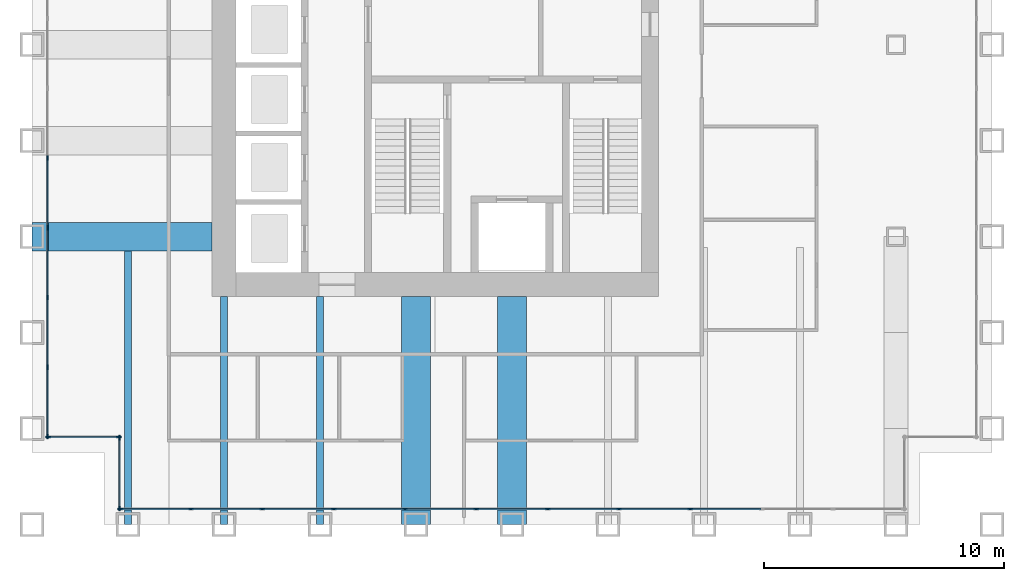
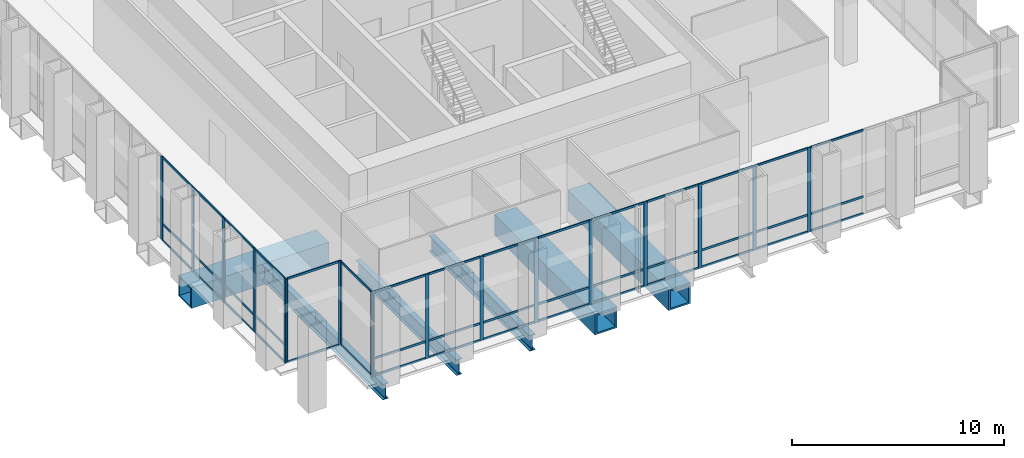
# One storey, part 2 of 13: 61 members, 6 beams, 4 elements without a shape of their own.
"""IFC4 building model written with IfcOpenShell, lengths in metres."""

from ifc_helpers import new_model, si_unit, direction, frame, origin, origin_2d, place, context, subcontext, project, spatial, rectangle, hollow_rectangle, i_section, extrude, material, material_profile, profile_set, type_object, element, aggregate, save


model = new_model("IFC4")

# Units and contexts
model_context = context("Model", 3, precision=1e-05, world=origin(), true_north=direction((0.0, 1.0)))
body_context = subcontext(model_context, "Body", "Model", "MODEL_VIEW")
ifc_project = project(units=[si_unit("LENGTHUNIT", "METRE"), si_unit("AREAUNIT", "SQUARE_METRE"), si_unit("VOLUMEUNIT", "CUBIC_METRE"), si_unit("PLANEANGLEUNIT", "RADIAN"), si_unit("MASSUNIT", "GRAM", prefix="KILO")], contexts=[model_context])

# Site, building, storey
site_placement = place(None, origin())
site = spatial("IfcSite", under=ifc_project, at=site_placement, CompositionType="ELEMENT")
building_placement = place(site_placement, origin())
building = spatial("IfcBuilding", under=site, at=building_placement, Name="Rimbunsela Tower", CompositionType="ELEMENT")
storey_placement = place(building_placement, frame((0.0, 0.0, 209.199951171875)))
storey = spatial("IfcBuildingStorey", under=building, at=storey_placement, Name="L50", CompositionType="ELEMENT", Elevation=209.199951171875)

# Beams
ifc_material_1 = material(Name="Steel BJ 55 (fy 410 MPa)", Category="steel")
ifc_material_profile_1 = material_profile(ifc_material_1, hollow_rectangle(XDim=1.199951171875, YDim=1.199951171875, WallThickness=0.10009765625, at=origin_2d()), Name="BOX 1200x1200x100")
ifc_profile_set_1 = profile_set([ifc_material_profile_1], Name="Steel BJ 55 (fy 410 MPa)")
beam_type_1 = type_object("IfcBeamType", Name="Beam BOX 1200x1200x100", PredefinedType="BEAM", material=ifc_profile_set_1)
beam_1_placement = place(storey_placement, frame((10.0, 20.0, -0.75), z_axis=(1.0, 0.0, 0.0), x_axis=(0.0, 1.0, 0.0)))
element("IfcBeam", 1, at=beam_1_placement, inside=storey, type_object=beam_type_1, Name="Beam B5 L50", PredefinedType="BEAM", context=body_context, shape_type="SweptSolid", body=[
    extrude(hollow_rectangle(XDim=1.199951171875, YDim=1.199951171875, WallThickness=0.10009765625, at=origin_2d()), origin(), (0.0, 0.0, 1.0), 7.5),
])
for number, where, z_axis, x_axis, name in (
    (2, (26.0, 8.0, -0.75), (0.0, 1.0, 0.0), (-1.0, 0.0, 0.0), "Beam B5 L50"),
    (3, (30.0, 8.0, -0.75), (0.0, 1.0, 0.0), (-1.0, 0.0, 0.0), "Beam B5 L50"),
):
    element("IfcBeam", number, at=place(storey_placement, frame(where, z_axis=z_axis, x_axis=x_axis)), inside=storey, type_object=beam_type_1, Name=name, PredefinedType="BEAM", context=body_context, shape_type="SweptSolid", body=[
        extrude(hollow_rectangle(XDim=1.199951171875, YDim=1.199951171875, WallThickness=0.10009765625, at=origin_2d()), origin(), (0.0, 0.0, 1.0), 9.5),
    ])
ifc_material_2 = material(Name="Steel BJ 55 (fy 410 MPa)", Category="steel")
ifc_material_profile_2 = material_profile(ifc_material_2, i_section(OverallWidth=0.300048828125, OverallDepth=0.89990234375, WebThickness=0.01611328125, FlangeThickness=0.028076171875, FilletRadius=0.028076171875, at=origin_2d()), Name="H 900x300x16x28")
ifc_profile_set_2 = profile_set([ifc_material_profile_2], Name="Steel BJ 55 (fy 410 MPa)")
beam_type_2 = type_object("IfcBeamType", Name="Beam H 900x300x16x28", PredefinedType="BEAM", material=ifc_profile_set_2)
beam_2_placement = place(storey_placement, frame((14.0, 8.0, -0.599853515625), z_axis=(0.0, 1.0, 0.0), x_axis=(-1.0, 0.0, 0.0)))
element("IfcBeam", 4, at=beam_2_placement, inside=storey, type_object=beam_type_2, Name="Beam B2 L50", PredefinedType="BEAM", context=body_context, shape_type="SweptSolid", body=[
    extrude(i_section(OverallWidth=0.300048828125, OverallDepth=0.89990234375, WebThickness=0.01611328125, FlangeThickness=0.028076171875, FilletRadius=0.028076171875, at=origin_2d()), origin(), (0.0, 0.0, 1.0), 11.39990234375),
])
for number, where, z_axis, x_axis, name in (
    (5, (18.0, 8.0, -0.599853515625), (0.0, 1.0, 0.0), (-1.0, 0.0, 0.0), "Beam B2 L50"),
    (6, (22.0, 8.0, -0.599853515625), (0.0, 1.0, 0.0), (-1.0, 0.0, 0.0), "Beam B2 L50"),
):
    element("IfcBeam", number, at=place(storey_placement, frame(where, z_axis=z_axis, x_axis=x_axis)), inside=storey, type_object=beam_type_2, Name=name, PredefinedType="BEAM", context=body_context, shape_type="SweptSolid", body=[
        extrude(i_section(OverallWidth=0.300048828125, OverallDepth=0.89990234375, WebThickness=0.01611328125, FlangeThickness=0.028076171875, FilletRadius=0.028076171875, at=origin_2d()), origin(), (0.0, 0.0, 1.0), 9.5),
    ])

# Curtain wall, members
ifc_material_3 = material(Name="Aluminium curtain wall", Category="aluminium")
curtain_wall_type_1 = type_object("IfcCurtainWallType", Name="Sky lobby glazing", PredefinedType="USERDEFINED", material=ifc_material_3)
curtain_wall_1_placement = place(storey_placement, origin())
curtain_wall_1 = element("IfcCurtainWall", 7, at=curtain_wall_1_placement, inside=storey, type_object=curtain_wall_type_1, Name="Sky lobby glazing L50", ObjectType="SKY LOBBY GLAZING", PredefinedType="USERDEFINED")
ifc_material_4 = material(Name="Aluminium mullion", Category="aluminium")
ifc_material_profile_3 = material_profile(ifc_material_4, rectangle(XDim=0.06005859375, YDim=0.199951171875, at=origin_2d()), Name="Mullion 60x200")
ifc_profile_set_3 = profile_set([ifc_material_profile_3], Name="Aluminium mullion")
member_type_1 = type_object("IfcMemberType", Name="Curtain wall mullion 60x200", PredefinedType="MULLION", material=ifc_profile_set_3)
member_1_placement = place(storey_placement, frame((10.64990234375, 23.278564453125, 0.0), z_axis=(0.0, 0.0, 1.0), x_axis=(1.0, 0.0, 0.0)))
member_1 = element("IfcMember", 8, at=member_1_placement, type_object=member_type_1, Name="CW4 mullion 11", PredefinedType="MULLION", context=body_context, shape_type="SweptSolid", body=[
    extrude(rectangle(XDim=0.06005859375, YDim=0.199951171875, at=origin_2d()), origin(), (0.0, 0.0, 1.0), 4.85009765625),
])
member_2_placement = place(storey_placement, frame((10.64990234375, 20.371337890625, 0.0), z_axis=(0.0, 0.0, 1.0), x_axis=(1.0, 0.0, 0.0)))
member_2 = element("IfcMember", 9, at=member_2_placement, type_object=member_type_1, Name="CW4 mullion 12", PredefinedType="MULLION", context=body_context, shape_type="SweptSolid", body=[
    extrude(rectangle(XDim=0.06005859375, YDim=0.199951171875, at=origin_2d()), origin(), (0.0, 0.0, 1.0), 4.85009765625),
])
member_3_placement = place(storey_placement, frame((10.64990234375, 17.46435546875, 0.0), z_axis=(0.0, 0.0, 1.0), x_axis=(1.0, 0.0, 0.0)))
member_3 = element("IfcMember", 10, at=member_3_placement, type_object=member_type_1, Name="CW4 mullion 13", PredefinedType="MULLION", context=body_context, shape_type="SweptSolid", body=[
    extrude(rectangle(XDim=0.06005859375, YDim=0.199951171875, at=origin_2d()), origin(), (0.0, 0.0, 1.0), 4.85009765625),
])
member_4_placement = place(storey_placement, frame((10.64990234375, 14.55712890625, 0.0), z_axis=(0.0, 0.0, 1.0), x_axis=(1.0, 0.0, 0.0)))
member_4 = element("IfcMember", 11, at=member_4_placement, type_object=member_type_1, Name="CW4 mullion 14", PredefinedType="MULLION", context=body_context, shape_type="SweptSolid", body=[
    extrude(rectangle(XDim=0.06005859375, YDim=0.199951171875, at=origin_2d()), origin(), (0.0, 0.0, 1.0), 4.85009765625),
])
member_5_placement = place(storey_placement, frame((10.64990234375, 11.679931640625, 0.0), z_axis=(0.0, 0.0, 1.0), x_axis=(1.0, 0.0, 0.0)))
member_5 = element("IfcMember", 12, at=member_5_placement, type_object=member_type_1, Name="CW4 mullion 15", PredefinedType="MULLION", context=body_context, shape_type="SweptSolid", body=[
    extrude(rectangle(XDim=0.06005859375, YDim=0.199951171875, at=origin_2d()), origin(), (0.0, 0.0, 1.0), 4.85009765625),
])

ifc_material_5 = material(Name="Aluminium curtain wall", Category="aluminium")
curtain_wall_type_2 = type_object("IfcCurtainWallType", Name="Corner glazing", PredefinedType="USERDEFINED", material=ifc_material_5)
curtain_wall_2_placement = place(storey_placement, origin())
curtain_wall_2 = element("IfcCurtainWall", 13, at=curtain_wall_2_placement, inside=storey, type_object=curtain_wall_type_2, Name="Corner glazing L50", ObjectType="CORNER GLAZING", PredefinedType="USERDEFINED")
member_6_placement = place(storey_placement, frame((10.679931640625, 11.64990234375, 0.0), z_axis=(0.0, 0.0, 1.0), x_axis=(0.0, 1.0, 0.0)))
member_6 = element("IfcMember", 14, at=member_6_placement, type_object=member_type_1, Name="CW5 mullion 1", PredefinedType="MULLION", context=body_context, shape_type="SweptSolid", body=[
    extrude(rectangle(XDim=0.06005859375, YDim=0.199951171875, at=origin_2d()), origin(), (0.0, 0.0, 1.0), 4.85009765625),
])
member_7_placement = place(storey_placement, frame((13.6201171875, 11.64990234375, 0.0), z_axis=(0.0, 0.0, 1.0), x_axis=(0.0, 1.0, 0.0)))
member_7 = element("IfcMember", 15, at=member_7_placement, type_object=member_type_1, Name="CW5 mullion 2", PredefinedType="MULLION", context=body_context, shape_type="SweptSolid", body=[
    extrude(rectangle(XDim=0.06005859375, YDim=0.199951171875, at=origin_2d()), origin(), (0.0, 0.0, 1.0), 4.85009765625),
])

curtain_wall_3_placement = place(storey_placement, origin())
curtain_wall_3 = element("IfcCurtainWall", 16, at=curtain_wall_3_placement, inside=storey, type_object=curtain_wall_type_2, Name="Corner glazing L50", ObjectType="CORNER GLAZING", PredefinedType="USERDEFINED")
member_8_placement = place(storey_placement, frame((13.64990234375, 11.6201171875, 0.0), z_axis=(0.0, 0.0, 1.0), x_axis=(1.0, 0.0, 0.0)))
member_8 = element("IfcMember", 17, at=member_8_placement, type_object=member_type_1, Name="CW5 mullion 1", PredefinedType="MULLION", context=body_context, shape_type="SweptSolid", body=[
    extrude(rectangle(XDim=0.06005859375, YDim=0.199951171875, at=origin_2d()), origin(), (0.0, 0.0, 1.0), 4.85009765625),
])
member_9_placement = place(storey_placement, frame((13.64990234375, 8.679931640625, 0.0), z_axis=(0.0, 0.0, 1.0), x_axis=(1.0, 0.0, 0.0)))
member_9 = element("IfcMember", 18, at=member_9_placement, type_object=member_type_1, Name="CW5 mullion 2", PredefinedType="MULLION", context=body_context, shape_type="SweptSolid", body=[
    extrude(rectangle(XDim=0.06005859375, YDim=0.199951171875, at=origin_2d()), origin(), (0.0, 0.0, 1.0), 4.85009765625),
])

curtain_wall_4_placement = place(storey_placement, origin())
curtain_wall_4 = element("IfcCurtainWall", 19, at=curtain_wall_4_placement, inside=storey, type_object=curtain_wall_type_1, Name="Sky lobby glazing L50", ObjectType="SKY LOBBY GLAZING", PredefinedType="USERDEFINED")
member_10_placement = place(storey_placement, frame((13.679931640625, 8.64990234375, 0.0), z_axis=(0.0, 0.0, 1.0), x_axis=(0.0, 1.0, 0.0)))
member_10 = element("IfcMember", 20, at=member_10_placement, type_object=member_type_1, Name="CW4 mullion 1", PredefinedType="MULLION", context=body_context, shape_type="SweptSolid", body=[
    extrude(rectangle(XDim=0.06005859375, YDim=0.199951171875, at=origin_2d()), origin(), (0.0, 0.0, 1.0), 4.85009765625),
])
member_11_placement = place(storey_placement, frame((16.622802734375, 8.64990234375, 0.0), z_axis=(0.0, 0.0, 1.0), x_axis=(0.0, 1.0, 0.0)))
member_11 = element("IfcMember", 21, at=member_11_placement, type_object=member_type_1, Name="CW4 mullion 2", PredefinedType="MULLION", context=body_context, shape_type="SweptSolid", body=[
    extrude(rectangle(XDim=0.06005859375, YDim=0.199951171875, at=origin_2d()), origin(), (0.0, 0.0, 1.0), 4.85009765625),
])
member_12_placement = place(storey_placement, frame((19.595458984375, 8.64990234375, 0.0), z_axis=(0.0, 0.0, 1.0), x_axis=(0.0, 1.0, 0.0)))
member_12 = element("IfcMember", 22, at=member_12_placement, type_object=member_type_1, Name="CW4 mullion 3", PredefinedType="MULLION", context=body_context, shape_type="SweptSolid", body=[
    extrude(rectangle(XDim=0.06005859375, YDim=0.199951171875, at=origin_2d()), origin(), (0.0, 0.0, 1.0), 4.85009765625),
])
member_13_placement = place(storey_placement, frame((22.568115234375, 8.64990234375, 0.0), z_axis=(0.0, 0.0, 1.0), x_axis=(0.0, 1.0, 0.0)))
member_13 = element("IfcMember", 23, at=member_13_placement, type_object=member_type_1, Name="CW4 mullion 4", PredefinedType="MULLION", context=body_context, shape_type="SweptSolid", body=[
    extrude(rectangle(XDim=0.06005859375, YDim=0.199951171875, at=origin_2d()), origin(), (0.0, 0.0, 1.0), 4.85009765625),
])
member_14_placement = place(storey_placement, frame((25.541015625, 8.64990234375, 0.0), z_axis=(0.0, 0.0, 1.0), x_axis=(0.0, 1.0, 0.0)))
member_14 = element("IfcMember", 24, at=member_14_placement, type_object=member_type_1, Name="CW4 mullion 5", PredefinedType="MULLION", context=body_context, shape_type="SweptSolid", body=[
    extrude(rectangle(XDim=0.06005859375, YDim=0.199951171875, at=origin_2d()), origin(), (0.0, 0.0, 1.0), 4.85009765625),
])
member_15_placement = place(storey_placement, frame((28.513671875, 8.64990234375, 0.0), z_axis=(0.0, 0.0, 1.0), x_axis=(0.0, 1.0, 0.0)))
member_15 = element("IfcMember", 25, at=member_15_placement, type_object=member_type_1, Name="CW4 mullion 6", PredefinedType="MULLION", context=body_context, shape_type="SweptSolid", body=[
    extrude(rectangle(XDim=0.06005859375, YDim=0.199951171875, at=origin_2d()), origin(), (0.0, 0.0, 1.0), 4.85009765625),
])
member_16_placement = place(storey_placement, frame((31.486328125, 8.64990234375, 0.0), z_axis=(0.0, 0.0, 1.0), x_axis=(0.0, 1.0, 0.0)))
member_16 = element("IfcMember", 26, at=member_16_placement, type_object=member_type_1, Name="CW4 mullion 7", PredefinedType="MULLION", context=body_context, shape_type="SweptSolid", body=[
    extrude(rectangle(XDim=0.06005859375, YDim=0.199951171875, at=origin_2d()), origin(), (0.0, 0.0, 1.0), 4.85009765625),
])
member_17_placement = place(storey_placement, frame((34.458984375, 8.64990234375, 0.0), z_axis=(0.0, 0.0, 1.0), x_axis=(0.0, 1.0, 0.0)))
member_17 = element("IfcMember", 27, at=member_17_placement, type_object=member_type_1, Name="CW4 mullion 8", PredefinedType="MULLION", context=body_context, shape_type="SweptSolid", body=[
    extrude(rectangle(XDim=0.06005859375, YDim=0.199951171875, at=origin_2d()), origin(), (0.0, 0.0, 1.0), 4.85009765625),
])
member_18_placement = place(storey_placement, frame((37.431884765625, 8.64990234375, 0.0), z_axis=(0.0, 0.0, 1.0), x_axis=(0.0, 1.0, 0.0)))
member_18 = element("IfcMember", 28, at=member_18_placement, type_object=member_type_1, Name="CW4 mullion 9", PredefinedType="MULLION", context=body_context, shape_type="SweptSolid", body=[
    extrude(rectangle(XDim=0.06005859375, YDim=0.199951171875, at=origin_2d()), origin(), (0.0, 0.0, 1.0), 4.85009765625),
])

# Member
ifc_material_6 = material(Name="Aluminium transom", Category="aluminium")
ifc_material_profile_4 = material_profile(ifc_material_6, rectangle(XDim=0.06005859375, YDim=0.1201171875, at=origin_2d()), Name="Transom 60x120")
ifc_profile_set_4 = profile_set([ifc_material_profile_4], Name="Aluminium transom")
member_type_2 = type_object("IfcMemberType", Name="Curtain wall transom 60x120", PredefinedType="USERDEFINED", material=ifc_profile_set_4)
member_19_placement = place(storey_placement, frame((10.64990234375, 23.24853515625, 0.030029296875), z_axis=(0.0, -1.0, 0.0), x_axis=(1.0, 0.0, 0.0)))
member_19 = element("IfcMember", 29, at=member_19_placement, type_object=member_type_2, Name="CW4 transom 11.1", ObjectType="TRANSOM", PredefinedType="USERDEFINED", context=body_context, shape_type="SweptSolid", body=[
    extrude(rectangle(XDim=0.06005859375, YDim=0.1201171875, at=origin_2d()), origin(), (0.0, 0.0, 1.0), 2.84716796875),
])

member_20_placement = place(storey_placement, frame((10.64990234375, 23.24853515625, 1.0), z_axis=(0.0, -1.0, 0.0), x_axis=(1.0, 0.0, 0.0)))
member_20 = element("IfcMember", 30, at=member_20_placement, type_object=member_type_2, Name="CW4 transom 11.2", ObjectType="TRANSOM", PredefinedType="USERDEFINED", context=body_context, shape_type="SweptSolid", body=[
    extrude(rectangle(XDim=0.06005859375, YDim=0.1201171875, at=origin_2d()), origin(), (0.0, 0.0, 1.0), 2.84716796875),
])

member_21_placement = place(storey_placement, frame((10.64990234375, 23.24853515625, 4.820068359375), z_axis=(0.0, -1.0, 0.0), x_axis=(1.0, 0.0, 0.0)))
member_21 = element("IfcMember", 31, at=member_21_placement, type_object=member_type_2, Name="CW4 transom 11.3", ObjectType="TRANSOM", PredefinedType="USERDEFINED", context=body_context, shape_type="SweptSolid", body=[
    extrude(rectangle(XDim=0.06005859375, YDim=0.1201171875, at=origin_2d()), origin(), (0.0, 0.0, 1.0), 2.84716796875),
])

member_22_placement = place(storey_placement, frame((10.64990234375, 20.34130859375, 0.030029296875), z_axis=(0.0, -1.0, 0.0), x_axis=(1.0, 0.0, 0.0)))
member_22 = element("IfcMember", 32, at=member_22_placement, type_object=member_type_2, Name="CW4 transom 12.1", ObjectType="TRANSOM", PredefinedType="USERDEFINED", context=body_context, shape_type="SweptSolid", body=[
    extrude(rectangle(XDim=0.06005859375, YDim=0.1201171875, at=origin_2d()), origin(), (0.0, 0.0, 1.0), 2.846923828125),
])

member_23_placement = place(storey_placement, frame((10.64990234375, 20.34130859375, 1.0), z_axis=(0.0, -1.0, 0.0), x_axis=(1.0, 0.0, 0.0)))
member_23 = element("IfcMember", 33, at=member_23_placement, type_object=member_type_2, Name="CW4 transom 12.2", ObjectType="TRANSOM", PredefinedType="USERDEFINED", context=body_context, shape_type="SweptSolid", body=[
    extrude(rectangle(XDim=0.06005859375, YDim=0.1201171875, at=origin_2d()), origin(), (0.0, 0.0, 1.0), 2.846923828125),
])

member_24_placement = place(storey_placement, frame((10.64990234375, 20.34130859375, 4.820068359375), z_axis=(0.0, -1.0, 0.0), x_axis=(1.0, 0.0, 0.0)))
member_24 = element("IfcMember", 34, at=member_24_placement, type_object=member_type_2, Name="CW4 transom 12.3", ObjectType="TRANSOM", PredefinedType="USERDEFINED", context=body_context, shape_type="SweptSolid", body=[
    extrude(rectangle(XDim=0.06005859375, YDim=0.1201171875, at=origin_2d()), origin(), (0.0, 0.0, 1.0), 2.846923828125),
])

member_25_placement = place(storey_placement, frame((10.64990234375, 17.434326171875, 0.030029296875), z_axis=(0.0, -1.0, 0.0), x_axis=(1.0, 0.0, 0.0)))
member_25 = element("IfcMember", 35, at=member_25_placement, type_object=member_type_2, Name="CW4 transom 13.1", ObjectType="TRANSOM", PredefinedType="USERDEFINED", context=body_context, shape_type="SweptSolid", body=[
    extrude(rectangle(XDim=0.06005859375, YDim=0.1201171875, at=origin_2d()), origin(), (0.0, 0.0, 1.0), 2.84716796875),
])

member_26_placement = place(storey_placement, frame((10.64990234375, 17.434326171875, 1.0), z_axis=(0.0, -1.0, 0.0), x_axis=(1.0, 0.0, 0.0)))
member_26 = element("IfcMember", 36, at=member_26_placement, type_object=member_type_2, Name="CW4 transom 13.2", ObjectType="TRANSOM", PredefinedType="USERDEFINED", context=body_context, shape_type="SweptSolid", body=[
    extrude(rectangle(XDim=0.06005859375, YDim=0.1201171875, at=origin_2d()), origin(), (0.0, 0.0, 1.0), 2.84716796875),
])

member_27_placement = place(storey_placement, frame((10.64990234375, 17.434326171875, 4.820068359375), z_axis=(0.0, -1.0, 0.0), x_axis=(1.0, 0.0, 0.0)))
member_27 = element("IfcMember", 37, at=member_27_placement, type_object=member_type_2, Name="CW4 transom 13.3", ObjectType="TRANSOM", PredefinedType="USERDEFINED", context=body_context, shape_type="SweptSolid", body=[
    extrude(rectangle(XDim=0.06005859375, YDim=0.1201171875, at=origin_2d()), origin(), (0.0, 0.0, 1.0), 2.84716796875),
])

member_28_placement = place(storey_placement, frame((10.64990234375, 14.527099609375, 0.030029296875), z_axis=(0.0, -1.0, 0.0), x_axis=(1.0, 0.0, 0.0)))
member_28 = element("IfcMember", 38, at=member_28_placement, type_object=member_type_2, Name="CW4 transom 14.1", ObjectType="TRANSOM", PredefinedType="USERDEFINED", context=body_context, shape_type="SweptSolid", body=[
    extrude(rectangle(XDim=0.06005859375, YDim=0.1201171875, at=origin_2d()), origin(), (0.0, 0.0, 1.0), 2.817138671875),
])

member_29_placement = place(storey_placement, frame((10.64990234375, 14.527099609375, 1.0), z_axis=(0.0, -1.0, 0.0), x_axis=(1.0, 0.0, 0.0)))
member_29 = element("IfcMember", 39, at=member_29_placement, type_object=member_type_2, Name="CW4 transom 14.2", ObjectType="TRANSOM", PredefinedType="USERDEFINED", context=body_context, shape_type="SweptSolid", body=[
    extrude(rectangle(XDim=0.06005859375, YDim=0.1201171875, at=origin_2d()), origin(), (0.0, 0.0, 1.0), 2.817138671875),
])

member_30_placement = place(storey_placement, frame((10.64990234375, 14.527099609375, 4.820068359375), z_axis=(0.0, -1.0, 0.0), x_axis=(1.0, 0.0, 0.0)))
member_30 = element("IfcMember", 40, at=member_30_placement, type_object=member_type_2, Name="CW4 transom 14.3", ObjectType="TRANSOM", PredefinedType="USERDEFINED", context=body_context, shape_type="SweptSolid", body=[
    extrude(rectangle(XDim=0.06005859375, YDim=0.1201171875, at=origin_2d()), origin(), (0.0, 0.0, 1.0), 2.817138671875),
])

aggregate(curtain_wall_1, [member_1, member_2, member_3, member_4, member_5, member_19, member_20, member_21, member_22, member_23, member_24, member_25, member_26, member_27, member_28, member_29, member_30])

member_31_placement = place(storey_placement, frame((10.7099609375, 11.64990234375, 0.030029296875), z_axis=(1.0, 0.0, 0.0), x_axis=(0.0, 1.0, 0.0)))
member_31 = element("IfcMember", 41, at=member_31_placement, type_object=member_type_2, Name="CW5 transom 1.1", ObjectType="TRANSOM", PredefinedType="USERDEFINED", context=body_context, shape_type="SweptSolid", body=[
    extrude(rectangle(XDim=0.06005859375, YDim=0.1201171875, at=origin_2d()), origin(), (0.0, 0.0, 1.0), 2.880126953125),
])

member_32_placement = place(storey_placement, frame((10.7099609375, 11.64990234375, 4.820068359375), z_axis=(1.0, 0.0, 0.0), x_axis=(0.0, 1.0, 0.0)))
member_32 = element("IfcMember", 42, at=member_32_placement, type_object=member_type_2, Name="CW5 transom 1.2", ObjectType="TRANSOM", PredefinedType="USERDEFINED", context=body_context, shape_type="SweptSolid", body=[
    extrude(rectangle(XDim=0.06005859375, YDim=0.1201171875, at=origin_2d()), origin(), (0.0, 0.0, 1.0), 2.880126953125),
])

aggregate(curtain_wall_2, [member_6, member_7, member_31, member_32])

member_33_placement = place(storey_placement, frame((13.64990234375, 11.590087890625, 0.030029296875), z_axis=(0.0, -1.0, 0.0), x_axis=(1.0, 0.0, 0.0)))
member_33 = element("IfcMember", 43, at=member_33_placement, type_object=member_type_2, Name="CW5 transom 1.1", ObjectType="TRANSOM", PredefinedType="USERDEFINED", context=body_context, shape_type="SweptSolid", body=[
    extrude(rectangle(XDim=0.06005859375, YDim=0.1201171875, at=origin_2d()), origin(), (0.0, 0.0, 1.0), 2.880126953125),
])

member_34_placement = place(storey_placement, frame((13.64990234375, 11.590087890625, 4.820068359375), z_axis=(0.0, -1.0, 0.0), x_axis=(1.0, 0.0, 0.0)))
member_34 = element("IfcMember", 44, at=member_34_placement, type_object=member_type_2, Name="CW5 transom 1.2", ObjectType="TRANSOM", PredefinedType="USERDEFINED", context=body_context, shape_type="SweptSolid", body=[
    extrude(rectangle(XDim=0.06005859375, YDim=0.1201171875, at=origin_2d()), origin(), (0.0, 0.0, 1.0), 2.880126953125),
])

aggregate(curtain_wall_3, [member_8, member_9, member_33, member_34])

member_35_placement = place(storey_placement, frame((13.7099609375, 8.64990234375, 0.030029296875), z_axis=(1.0, 0.0, 0.0), x_axis=(0.0, 1.0, 0.0)))
member_35 = element("IfcMember", 45, at=member_35_placement, type_object=member_type_2, Name="CW4 transom 1.1", ObjectType="TRANSOM", PredefinedType="USERDEFINED", context=body_context, shape_type="SweptSolid", body=[
    extrude(rectangle(XDim=0.06005859375, YDim=0.1201171875, at=origin_2d()), origin(), (0.0, 0.0, 1.0), 2.8828125),
])

member_36_placement = place(storey_placement, frame((13.7099609375, 8.64990234375, 1.0), z_axis=(1.0, 0.0, 0.0), x_axis=(0.0, 1.0, 0.0)))
member_36 = element("IfcMember", 46, at=member_36_placement, type_object=member_type_2, Name="CW4 transom 1.2", ObjectType="TRANSOM", PredefinedType="USERDEFINED", context=body_context, shape_type="SweptSolid", body=[
    extrude(rectangle(XDim=0.06005859375, YDim=0.1201171875, at=origin_2d()), origin(), (0.0, 0.0, 1.0), 2.8828125),
])

member_37_placement = place(storey_placement, frame((13.7099609375, 8.64990234375, 4.820068359375), z_axis=(1.0, 0.0, 0.0), x_axis=(0.0, 1.0, 0.0)))
member_37 = element("IfcMember", 47, at=member_37_placement, type_object=member_type_2, Name="CW4 transom 1.3", ObjectType="TRANSOM", PredefinedType="USERDEFINED", context=body_context, shape_type="SweptSolid", body=[
    extrude(rectangle(XDim=0.06005859375, YDim=0.1201171875, at=origin_2d()), origin(), (0.0, 0.0, 1.0), 2.8828125),
])

member_38_placement = place(storey_placement, frame((16.65283203125, 8.64990234375, 0.030029296875), z_axis=(1.0, 0.0, 0.0), x_axis=(0.0, 1.0, 0.0)))
member_38 = element("IfcMember", 48, at=member_38_placement, type_object=member_type_2, Name="CW4 transom 2.1", ObjectType="TRANSOM", PredefinedType="USERDEFINED", context=body_context, shape_type="SweptSolid", body=[
    extrude(rectangle(XDim=0.06005859375, YDim=0.1201171875, at=origin_2d()), origin(), (0.0, 0.0, 1.0), 2.91259765625),
])

member_39_placement = place(storey_placement, frame((16.65283203125, 8.64990234375, 1.0), z_axis=(1.0, 0.0, 0.0), x_axis=(0.0, 1.0, 0.0)))
member_39 = element("IfcMember", 49, at=member_39_placement, type_object=member_type_2, Name="CW4 transom 2.2", ObjectType="TRANSOM", PredefinedType="USERDEFINED", context=body_context, shape_type="SweptSolid", body=[
    extrude(rectangle(XDim=0.06005859375, YDim=0.1201171875, at=origin_2d()), origin(), (0.0, 0.0, 1.0), 2.91259765625),
])

member_40_placement = place(storey_placement, frame((16.65283203125, 8.64990234375, 4.820068359375), z_axis=(1.0, 0.0, 0.0), x_axis=(0.0, 1.0, 0.0)))
member_40 = element("IfcMember", 50, at=member_40_placement, type_object=member_type_2, Name="CW4 transom 2.3", ObjectType="TRANSOM", PredefinedType="USERDEFINED", context=body_context, shape_type="SweptSolid", body=[
    extrude(rectangle(XDim=0.06005859375, YDim=0.1201171875, at=origin_2d()), origin(), (0.0, 0.0, 1.0), 2.91259765625),
])

member_41_placement = place(storey_placement, frame((19.62548828125, 8.64990234375, 0.030029296875), z_axis=(1.0, 0.0, 0.0), x_axis=(0.0, 1.0, 0.0)))
member_41 = element("IfcMember", 51, at=member_41_placement, type_object=member_type_2, Name="CW4 transom 3.1", ObjectType="TRANSOM", PredefinedType="USERDEFINED", context=body_context, shape_type="SweptSolid", body=[
    extrude(rectangle(XDim=0.06005859375, YDim=0.1201171875, at=origin_2d()), origin(), (0.0, 0.0, 1.0), 2.91259765625),
])

member_42_placement = place(storey_placement, frame((19.62548828125, 8.64990234375, 1.0), z_axis=(1.0, 0.0, 0.0), x_axis=(0.0, 1.0, 0.0)))
member_42 = element("IfcMember", 52, at=member_42_placement, type_object=member_type_2, Name="CW4 transom 3.2", ObjectType="TRANSOM", PredefinedType="USERDEFINED", context=body_context, shape_type="SweptSolid", body=[
    extrude(rectangle(XDim=0.06005859375, YDim=0.1201171875, at=origin_2d()), origin(), (0.0, 0.0, 1.0), 2.91259765625),
])

member_43_placement = place(storey_placement, frame((19.62548828125, 8.64990234375, 4.820068359375), z_axis=(1.0, 0.0, 0.0), x_axis=(0.0, 1.0, 0.0)))
member_43 = element("IfcMember", 53, at=member_43_placement, type_object=member_type_2, Name="CW4 transom 3.3", ObjectType="TRANSOM", PredefinedType="USERDEFINED", context=body_context, shape_type="SweptSolid", body=[
    extrude(rectangle(XDim=0.06005859375, YDim=0.1201171875, at=origin_2d()), origin(), (0.0, 0.0, 1.0), 2.91259765625),
])

member_44_placement = place(storey_placement, frame((22.59814453125, 8.64990234375, 0.030029296875), z_axis=(1.0, 0.0, 0.0), x_axis=(0.0, 1.0, 0.0)))
member_44 = element("IfcMember", 54, at=member_44_placement, type_object=member_type_2, Name="CW4 transom 4.1", ObjectType="TRANSOM", PredefinedType="USERDEFINED", context=body_context, shape_type="SweptSolid", body=[
    extrude(rectangle(XDim=0.06005859375, YDim=0.1201171875, at=origin_2d()), origin(), (0.0, 0.0, 1.0), 2.912841796875),
])

member_45_placement = place(storey_placement, frame((22.59814453125, 8.64990234375, 1.0), z_axis=(1.0, 0.0, 0.0), x_axis=(0.0, 1.0, 0.0)))
member_45 = element("IfcMember", 55, at=member_45_placement, type_object=member_type_2, Name="CW4 transom 4.2", ObjectType="TRANSOM", PredefinedType="USERDEFINED", context=body_context, shape_type="SweptSolid", body=[
    extrude(rectangle(XDim=0.06005859375, YDim=0.1201171875, at=origin_2d()), origin(), (0.0, 0.0, 1.0), 2.912841796875),
])

member_46_placement = place(storey_placement, frame((22.59814453125, 8.64990234375, 4.820068359375), z_axis=(1.0, 0.0, 0.0), x_axis=(0.0, 1.0, 0.0)))
member_46 = element("IfcMember", 56, at=member_46_placement, type_object=member_type_2, Name="CW4 transom 4.3", ObjectType="TRANSOM", PredefinedType="USERDEFINED", context=body_context, shape_type="SweptSolid", body=[
    extrude(rectangle(XDim=0.06005859375, YDim=0.1201171875, at=origin_2d()), origin(), (0.0, 0.0, 1.0), 2.912841796875),
])

member_47_placement = place(storey_placement, frame((25.57080078125, 8.64990234375, 0.030029296875), z_axis=(1.0, 0.0, 0.0), x_axis=(0.0, 1.0, 0.0)))
member_47 = element("IfcMember", 57, at=member_47_placement, type_object=member_type_2, Name="CW4 transom 5.1", ObjectType="TRANSOM", PredefinedType="USERDEFINED", context=body_context, shape_type="SweptSolid", body=[
    extrude(rectangle(XDim=0.06005859375, YDim=0.1201171875, at=origin_2d()), origin(), (0.0, 0.0, 1.0), 2.912841796875),
])

member_48_placement = place(storey_placement, frame((25.57080078125, 8.64990234375, 1.0), z_axis=(1.0, 0.0, 0.0), x_axis=(0.0, 1.0, 0.0)))
member_48 = element("IfcMember", 58, at=member_48_placement, type_object=member_type_2, Name="CW4 transom 5.2", ObjectType="TRANSOM", PredefinedType="USERDEFINED", context=body_context, shape_type="SweptSolid", body=[
    extrude(rectangle(XDim=0.06005859375, YDim=0.1201171875, at=origin_2d()), origin(), (0.0, 0.0, 1.0), 2.912841796875),
])

member_49_placement = place(storey_placement, frame((25.57080078125, 8.64990234375, 4.820068359375), z_axis=(1.0, 0.0, 0.0), x_axis=(0.0, 1.0, 0.0)))
member_49 = element("IfcMember", 59, at=member_49_placement, type_object=member_type_2, Name="CW4 transom 5.3", ObjectType="TRANSOM", PredefinedType="USERDEFINED", context=body_context, shape_type="SweptSolid", body=[
    extrude(rectangle(XDim=0.06005859375, YDim=0.1201171875, at=origin_2d()), origin(), (0.0, 0.0, 1.0), 2.912841796875),
])

member_50_placement = place(storey_placement, frame((28.543701171875, 8.64990234375, 0.030029296875), z_axis=(1.0, 0.0, 0.0), x_axis=(0.0, 1.0, 0.0)))
member_50 = element("IfcMember", 60, at=member_50_placement, type_object=member_type_2, Name="CW4 transom 6.1", ObjectType="TRANSOM", PredefinedType="USERDEFINED", context=body_context, shape_type="SweptSolid", body=[
    extrude(rectangle(XDim=0.06005859375, YDim=0.1201171875, at=origin_2d()), origin(), (0.0, 0.0, 1.0), 2.91259765625),
])

member_51_placement = place(storey_placement, frame((28.543701171875, 8.64990234375, 1.0), z_axis=(1.0, 0.0, 0.0), x_axis=(0.0, 1.0, 0.0)))
member_51 = element("IfcMember", 61, at=member_51_placement, type_object=member_type_2, Name="CW4 transom 6.2", ObjectType="TRANSOM", PredefinedType="USERDEFINED", context=body_context, shape_type="SweptSolid", body=[
    extrude(rectangle(XDim=0.06005859375, YDim=0.1201171875, at=origin_2d()), origin(), (0.0, 0.0, 1.0), 2.91259765625),
])

member_52_placement = place(storey_placement, frame((28.543701171875, 8.64990234375, 4.820068359375), z_axis=(1.0, 0.0, 0.0), x_axis=(0.0, 1.0, 0.0)))
member_52 = element("IfcMember", 62, at=member_52_placement, type_object=member_type_2, Name="CW4 transom 6.3", ObjectType="TRANSOM", PredefinedType="USERDEFINED", context=body_context, shape_type="SweptSolid", body=[
    extrude(rectangle(XDim=0.06005859375, YDim=0.1201171875, at=origin_2d()), origin(), (0.0, 0.0, 1.0), 2.91259765625),
])

member_53_placement = place(storey_placement, frame((31.516357421875, 8.64990234375, 0.030029296875), z_axis=(1.0, 0.0, 0.0), x_axis=(0.0, 1.0, 0.0)))
member_53 = element("IfcMember", 63, at=member_53_placement, type_object=member_type_2, Name="CW4 transom 7.1", ObjectType="TRANSOM", PredefinedType="USERDEFINED", context=body_context, shape_type="SweptSolid", body=[
    extrude(rectangle(XDim=0.06005859375, YDim=0.1201171875, at=origin_2d()), origin(), (0.0, 0.0, 1.0), 2.912841796875),
])

member_54_placement = place(storey_placement, frame((31.516357421875, 8.64990234375, 1.0), z_axis=(1.0, 0.0, 0.0), x_axis=(0.0, 1.0, 0.0)))
member_54 = element("IfcMember", 64, at=member_54_placement, type_object=member_type_2, Name="CW4 transom 7.2", ObjectType="TRANSOM", PredefinedType="USERDEFINED", context=body_context, shape_type="SweptSolid", body=[
    extrude(rectangle(XDim=0.06005859375, YDim=0.1201171875, at=origin_2d()), origin(), (0.0, 0.0, 1.0), 2.912841796875),
])

member_55_placement = place(storey_placement, frame((31.516357421875, 8.64990234375, 4.820068359375), z_axis=(1.0, 0.0, 0.0), x_axis=(0.0, 1.0, 0.0)))
member_55 = element("IfcMember", 65, at=member_55_placement, type_object=member_type_2, Name="CW4 transom 7.3", ObjectType="TRANSOM", PredefinedType="USERDEFINED", context=body_context, shape_type="SweptSolid", body=[
    extrude(rectangle(XDim=0.06005859375, YDim=0.1201171875, at=origin_2d()), origin(), (0.0, 0.0, 1.0), 2.912841796875),
])

member_56_placement = place(storey_placement, frame((34.489013671875, 8.64990234375, 0.030029296875), z_axis=(1.0, 0.0, 0.0), x_axis=(0.0, 1.0, 0.0)))
member_56 = element("IfcMember", 66, at=member_56_placement, type_object=member_type_2, Name="CW4 transom 8.1", ObjectType="TRANSOM", PredefinedType="USERDEFINED", context=body_context, shape_type="SweptSolid", body=[
    extrude(rectangle(XDim=0.06005859375, YDim=0.1201171875, at=origin_2d()), origin(), (0.0, 0.0, 1.0), 2.912841796875),
])

member_57_placement = place(storey_placement, frame((34.489013671875, 8.64990234375, 1.0), z_axis=(1.0, 0.0, 0.0), x_axis=(0.0, 1.0, 0.0)))
member_57 = element("IfcMember", 67, at=member_57_placement, type_object=member_type_2, Name="CW4 transom 8.2", ObjectType="TRANSOM", PredefinedType="USERDEFINED", context=body_context, shape_type="SweptSolid", body=[
    extrude(rectangle(XDim=0.06005859375, YDim=0.1201171875, at=origin_2d()), origin(), (0.0, 0.0, 1.0), 2.912841796875),
])

member_58_placement = place(storey_placement, frame((34.489013671875, 8.64990234375, 4.820068359375), z_axis=(1.0, 0.0, 0.0), x_axis=(0.0, 1.0, 0.0)))
member_58 = element("IfcMember", 68, at=member_58_placement, type_object=member_type_2, Name="CW4 transom 8.3", ObjectType="TRANSOM", PredefinedType="USERDEFINED", context=body_context, shape_type="SweptSolid", body=[
    extrude(rectangle(XDim=0.06005859375, YDim=0.1201171875, at=origin_2d()), origin(), (0.0, 0.0, 1.0), 2.912841796875),
])

member_59_placement = place(storey_placement, frame((37.4619140625, 8.64990234375, 0.030029296875), z_axis=(1.0, 0.0, 0.0), x_axis=(0.0, 1.0, 0.0)))
member_59 = element("IfcMember", 69, at=member_59_placement, type_object=member_type_2, Name="CW4 transom 9.1", ObjectType="TRANSOM", PredefinedType="USERDEFINED", context=body_context, shape_type="SweptSolid", body=[
    extrude(rectangle(XDim=0.06005859375, YDim=0.1201171875, at=origin_2d()), origin(), (0.0, 0.0, 1.0), 2.91259765625),
])

member_60_placement = place(storey_placement, frame((37.4619140625, 8.64990234375, 1.0), z_axis=(1.0, 0.0, 0.0), x_axis=(0.0, 1.0, 0.0)))
member_60 = element("IfcMember", 70, at=member_60_placement, type_object=member_type_2, Name="CW4 transom 9.2", ObjectType="TRANSOM", PredefinedType="USERDEFINED", context=body_context, shape_type="SweptSolid", body=[
    extrude(rectangle(XDim=0.06005859375, YDim=0.1201171875, at=origin_2d()), origin(), (0.0, 0.0, 1.0), 2.91259765625),
])

member_61_placement = place(storey_placement, frame((37.4619140625, 8.64990234375, 4.820068359375), z_axis=(1.0, 0.0, 0.0), x_axis=(0.0, 1.0, 0.0)))
member_61 = element("IfcMember", 71, at=member_61_placement, type_object=member_type_2, Name="CW4 transom 9.3", ObjectType="TRANSOM", PredefinedType="USERDEFINED", context=body_context, shape_type="SweptSolid", body=[
    extrude(rectangle(XDim=0.06005859375, YDim=0.1201171875, at=origin_2d()), origin(), (0.0, 0.0, 1.0), 2.91259765625),
])

aggregate(curtain_wall_4, [member_10, member_11, member_12, member_13, member_14, member_15, member_16, member_17, member_18, member_35, member_36, member_37, member_38, member_39, member_40, member_41, member_42, member_43, member_44, member_45, member_46, member_47, member_48, member_49, member_50, member_51, member_52, member_53, member_54, member_55, member_56, member_57, member_58, member_59, member_60, member_61])

save(model, "model.ifc")
